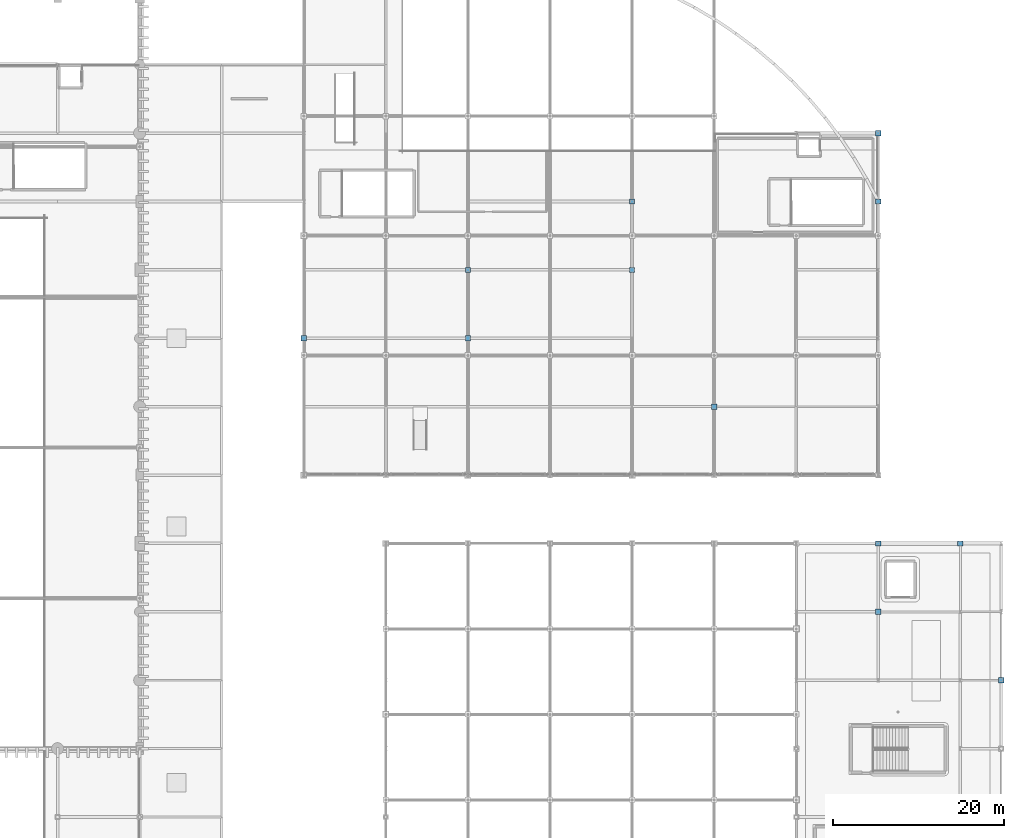
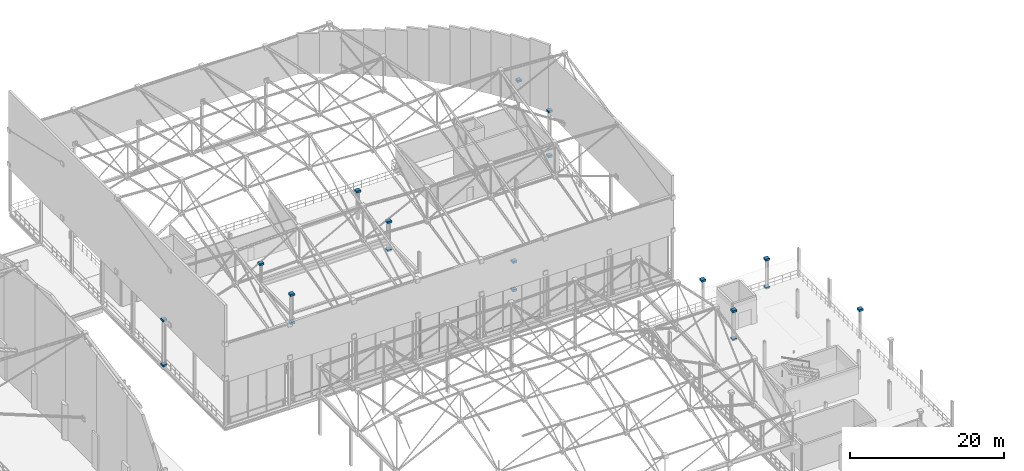
# One storey, part 171 of 193: 19 discrete accessories.
"""IFC4 building model written with IfcOpenShell, lengths in metres."""

import ifcopenshell
import ifcopenshell.guid

model = None  # the IFC model being written
_history = None  # IfcOwnerHistory: only IFC2X3 demands one
_inside = {}  # id of a spatial element -> (the spatial element, [elements in it])
_under = {}  # id of a project, library or spatial element -> (it, [spatial elements below it])
_declared = {}  # id of a project -> (the project, [libraries it declares])
_typed = {}  # id of a type object -> (the type object, [elements of that type])
_made_of = {}  # id of a material, layer set ... -> (it, [elements and type objects made of it])


def new_model(schema):
    """Start an empty IFC model of exactly this schema.

    Asked for "IFC4X3", IfcOpenShell would pick the latest addendum, in which some entities
    have other attributes; the version numbers below select the first issue.
    IFC2X3 requires an IfcOwnerHistory on every rooted entity: one is made here for all.
    """
    global model, _history
    if schema == "IFC4X3":
        model = ifcopenshell.file(schema_version=(4, 3, 0, 0))
    else:
        model = ifcopenshell.file(schema=schema)
    _inside.clear()
    _under.clear()
    _declared.clear()
    _typed.clear()
    _made_of.clear()
    _history = None
    if model.schema == "IFC2X3":
        org = make("IfcOrganization", Name="unknown")
        user = make(
            "IfcPersonAndOrganization",
            ThePerson=make("IfcPerson", FamilyName="unknown"),
            TheOrganization=org,
        )
        app = make(
            "IfcApplication",
            ApplicationDeveloper=org,
            Version="unknown",
            ApplicationFullName="unknown",
            ApplicationIdentifier="unknown",
        )
        _history = make(
            "IfcOwnerHistory",
            OwningUser=user,
            OwningApplication=app,
            ChangeAction="ADDED",
            CreationDate=0,
        )
    return model


def make(cls, **values):
    """One entity of the class cls with the attributes given. An attribute that is None is left unset."""
    return model.create_entity(
        cls, **{name: value for name, value in values.items() if value is not None}
    )


def rooted(cls, **values):
    """An entity with a GlobalId (a new one), such as an element, a storey or a relation."""
    return make(cls, GlobalId=ifcopenshell.guid.new(), OwnerHistory=_history, **values)


def si_unit(unit_type, name, prefix=None):
    """IfcSIUnit, for example si_unit("LENGTHUNIT", "METRE", prefix="MILLI")."""
    return make("IfcSIUnit", UnitType=unit_type, Prefix=prefix, Name=name)


def assignment(units):
    """IfcUnitAssignment: the units of a project."""
    return None if units is None else make("IfcUnitAssignment", Units=units)


def point(xyz):
    """IfcCartesianPoint."""
    return None if xyz is None else make("IfcCartesianPoint", Coordinates=xyz)


def direction(xyz):
    """IfcDirection."""
    return None if xyz is None else make("IfcDirection", DirectionRatios=xyz)


def frame(location, z_axis=None, x_axis=None):
    """IfcAxis2Placement3D, a coordinate frame: its origin and axes. An axis left out is left unset."""
    return make(
        "IfcAxis2Placement3D",
        Location=point(location),
        Axis=direction(z_axis),
        RefDirection=direction(x_axis),
    )


def frame_2d(location, x_axis=None):
    """IfcAxis2Placement2D, a coordinate frame in the plane: its origin and x axis."""
    return make(
        "IfcAxis2Placement2D", Location=point(location), RefDirection=direction(x_axis)
    )


def origin():
    """The frame at (0, 0, 0) with its axes left unset."""
    return frame((0.0, 0.0, 0.0))


def origin_2d():
    """The frame at (0, 0) in the plane with its x axis left unset."""
    return frame_2d((0.0, 0.0))


def place(relative_to, where):
    """IfcLocalPlacement: puts the frame where relative to a parent placement (None: the world)."""
    return make(
        "IfcLocalPlacement", PlacementRelTo=relative_to, RelativePlacement=where
    )


def context(
    kind, dimensions, precision=None, world=None, true_north=None, identifier=None
):
    """IfcGeometricRepresentationContext, for example the 3D "Model" context."""
    return make(
        "IfcGeometricRepresentationContext",
        ContextIdentifier=identifier,
        ContextType=kind,
        CoordinateSpaceDimension=dimensions,
        Precision=precision,
        WorldCoordinateSystem=world,
        TrueNorth=true_north,
    )


def subcontext(parent, identifier, kind, view, scale=None):
    """IfcGeometricRepresentationSubContext, for example "Body" below "Model"."""
    return make(
        "IfcGeometricRepresentationSubContext",
        ContextIdentifier=identifier,
        ContextType=kind,
        ParentContext=parent,
        TargetScale=scale,
        TargetView=view,
    )


def project(units=None, contexts=None):
    """IfcProject with its units and contexts."""
    return rooted(
        "IfcProject",
        Name="project",
        RepresentationContexts=contexts,
        UnitsInContext=assignment(units),
    )


def spatial(cls, under=None, at=None, **own):
    """A site, building, storey or space (cls), placed at a placement, below another one or the project."""
    s = rooted(cls, ObjectPlacement=at, **own)
    if under is not None:
        _under.setdefault(under.id(), (under, []))[1].append(s)
    return s


def profile(cls, at=None, kind="AREA", **sizes):
    """A parametric profile (cls). Its sizes go by their IFC names, for example OverallWidth=200.0."""
    return make(cls, ProfileType=kind, Position=at, **sizes)


def rectangle(**sizes):
    """IfcRectangleProfileDef."""
    return profile("IfcRectangleProfileDef", **sizes)


def extrude(swept, where, along, depth):
    """IfcExtrudedAreaSolid: the profile swept, set in the frame where, extruded along a direction by depth."""
    return make(
        "IfcExtrudedAreaSolid",
        SweptArea=swept,
        Position=where,
        ExtrudedDirection=direction(along),
        Depth=depth,
    )


def shape(context_of_items, identifier, shape_type, items):
    """IfcShapeRepresentation: the items that make up one representation, for example the "Body"."""
    return make(
        "IfcShapeRepresentation",
        ContextOfItems=context_of_items,
        RepresentationIdentifier=identifier,
        RepresentationType=shape_type,
        Items=items,
    )


def material(Name=None, Category=None):
    """IfcMaterial."""
    return make("IfcMaterial", Name=Name, Category=Category)


def made_of(thing, what):
    """Note that an element or type object is made of a material, layer set ...; save() writes the relation."""
    if what is not None:
        _made_of.setdefault(what.id(), (what, []))[1].append(thing)
    return thing


def type_object(cls, material=None, **own):
    """A type object (cls), such as IfcWallType, which elements share."""
    return made_of(rooted(cls, **own), material)


def element(
    cls,
    number,
    at=None,
    inside=None,
    cuts=None,
    type_object=None,
    material=None,
    context=None,
    identifier="Body",
    shape_type=None,
    held_by="IfcProductDefinitionShape",
    body=None,
    shapes=None,
    **own,
):
    """One element of the class cls, such as IfcWall. Its Tag is "e" and its number.

    at: its placement. inside: the storey or other place that contains it. cuts: it is an
    opening in that element (IfcRelVoidsElement). A single representation is given by context,
    identifier, shape_type and body (its items); several are given by shapes. held_by: the class
    of the entity that holds the representations. save() writes the other relations.
    """
    e = rooted(cls, Tag="e%d" % number, ObjectPlacement=at, **own)
    if body is not None:
        shapes = [shape(context, identifier, shape_type, body)]
    if shapes is not None:
        e.Representation = make(held_by, Representations=shapes)
    if inside is not None:
        _inside.setdefault(inside.id(), (inside, []))[1].append(e)
    if cuts is not None:
        rooted(
            "IfcRelVoidsElement", RelatingBuildingElement=cuts, RelatedOpeningElement=e
        )
    if type_object is not None:
        _typed.setdefault(type_object.id(), (type_object, []))[1].append(e)
    return made_of(e, material)


def aggregate(whole, parts):
    """IfcRelAggregates: a whole, such as a stair, and the parts it consists of."""
    return rooted("IfcRelAggregates", RelatingObject=whole, RelatedObjects=parts)


def save(model, path):
    """Write the relations noted so far, then the file.

    IfcRelAggregates (storeys below a building ...), IfcRelContainedInSpatialStructure (elements
    in a storey), IfcRelDefinesByType, IfcRelAssociatesMaterial and IfcRelDeclares: one each for
    every whole, place, type object, material and project.
    """
    for whole, parts in _under.values():
        aggregate(whole, parts)
    for where, things in _inside.values():
        rooted(
            "IfcRelContainedInSpatialStructure",
            RelatedElements=things,
            RelatingStructure=where,
        )
    for kind, things in _typed.values():
        rooted("IfcRelDefinesByType", RelatedObjects=things, RelatingType=kind)
    for what, things in _made_of.values():
        rooted("IfcRelAssociatesMaterial", RelatedObjects=things, RelatingMaterial=what)
    for by, libraries in _declared.values():
        rooted("IfcRelDeclares", RelatingContext=by, RelatedDefinitions=libraries)
    model.write(path)


model = new_model("IFC4")

# Units and contexts
model_context = context("Model", 3, precision=1e-05, world=origin(), true_north=direction((0.0, 1.0)))
body_context = subcontext(model_context, "Body", "Model", "MODEL_VIEW")
ifc_project = project(units=[si_unit("LENGTHUNIT", "METRE"), si_unit("AREAUNIT", "SQUARE_METRE"), si_unit("VOLUMEUNIT", "CUBIC_METRE"), si_unit("PLANEANGLEUNIT", "RADIAN"), si_unit("MASSUNIT", "GRAM", prefix="KILO")], contexts=[model_context])

# Site, building, storey
site_placement = place(None, origin())
site = spatial("IfcSite", under=ifc_project, at=site_placement, CompositionType="ELEMENT")
building_placement = place(site_placement, origin())
building = spatial("IfcBuilding", under=site, at=building_placement, Name="Danafjord Basin Convention Centre", CompositionType="ELEMENT")
storey_placement = place(building_placement, frame((0.0, 0.0, 11.39990234375)))
storey = spatial("IfcBuildingStorey", under=building, at=storey_placement, Name="L02", CompositionType="ELEMENT", Elevation=11.39990234375)

# Discrete accessories
ifc_material = material(Name="Steel S355", Category="steel")
discrete_accessory_type = type_object("IfcDiscreteAccessoryType", Name="ACC-SF-HUB", PredefinedType="BRACKET", material=ifc_material)
for number, where, z_axis, x_axis, name in (
    (1, (134.39990234375, 104.0, -0.16015625), (0.0, 0.0, 1.0), (1.0, 0.0, 0.0), "Tubular steel column transition collar"),
    (2, (134.39990234375, 104.0, 6.990234375), (0.0, 0.0, 1.0), (1.0, 0.0, 0.0), "Tubular steel column top cap plate"),
    (3, (153.60009765625, 104.0, -0.16015625), (0.0, 0.0, 1.0), (1.0, 0.0, 0.0), "Tubular steel column transition collar"),
    (4, (153.60009765625, 104.0, 4.33984375), (0.0, 0.0, 1.0), (1.0, 0.0, 0.0), "Tubular steel column top cap plate"),
    (5, (153.60009765625, 112.0, 4.33984375), (0.0, 0.0, 1.0), (1.0, 0.0, 0.0), "Tubular steel column top cap plate"),
    (6, (172.800048828125, 112.0, -0.16015625), (0.0, 0.0, 1.0), (1.0, 0.0, 0.0), "Tubular steel column transition collar"),
    (7, (172.800048828125, 112.0, 4.33984375), (0.0, 0.0, 1.0), (1.0, 0.0, 0.0), "Tubular steel column top cap plate"),
    (8, (172.800048828125, 120.0, 4.33984375), (0.0, 0.0, 1.0), (1.0, 0.0, 0.0), "Tubular steel column top cap plate"),
    (9, (182.39990234375, 96.0, -0.16015625), (0.0, 0.0, 1.0), (1.0, 0.0, 0.0), "Tubular steel column transition collar"),
    (10, (182.39990234375, 96.0, 4.33984375), (0.0, 0.0, 1.0), (1.0, 0.0, 0.0), "Tubular steel column top cap plate"),
    (11, (201.60009765625, 72.0, -0.16015625), (0.0, 0.0, 1.0), (1.0, 0.0, 0.0), "Tubular steel column transition collar"),
    (12, (201.60009765625, 72.0, 4.33984375), (0.0, 0.0, 1.0), (1.0, 0.0, 0.0), "Tubular steel column top cap plate"),
    (13, (201.60009765625, 80.0, 4.33984375), (0.0, 0.0, 1.0), (1.0, 0.0, 0.0), "Tubular steel column top cap plate"),
    (14, (201.60009765625, 120.0, -0.16015625), (0.0, 0.0, 1.0), (1.0, 0.0, 0.0), "Tubular steel column transition collar"),
    (15, (201.60009765625, 120.0, 6.990234375), (0.0, 0.0, 1.0), (1.0, 0.0, 0.0), "Tubular steel column top cap plate"),
    (16, (201.60009765625, 128.0, 6.990234375), (0.0, 0.0, 1.0), (1.0, 0.0, 0.0), "Tubular steel column top cap plate"),
    (17, (211.199951171875, 80.0, -0.16015625), (0.0, 0.0, 1.0), (1.0, 0.0, 0.0), "Tubular steel column transition collar"),
    (18, (211.199951171875, 80.0, 4.33984375), (0.0, 0.0, 1.0), (1.0, 0.0, 0.0), "Tubular steel column top cap plate"),
    (19, (216.0, 64.0, 4.33984375), (0.0, 0.0, 1.0), (1.0, 0.0, 0.0), "Tubular steel column top cap plate"),
):
    element("IfcDiscreteAccessory", number, at=place(storey_placement, frame(where, z_axis=z_axis, x_axis=x_axis)), inside=storey, type_object=discrete_accessory_type, Name=name, PredefinedType="BRACKET", context=body_context, shape_type="SweptSolid", body=[
        extrude(rectangle(XDim=0.6201171875, YDim=0.6201171875, at=origin_2d()), origin(), (0.0, 0.0, 1.0), 0.320068359375),
    ])

save(model, "model.ifc")
